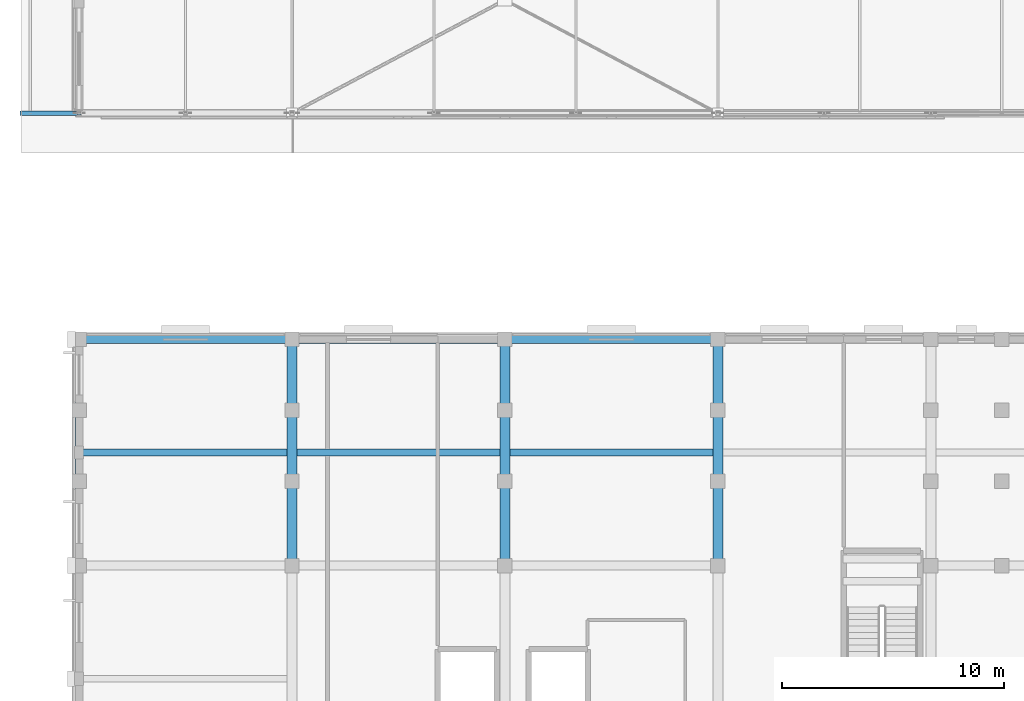
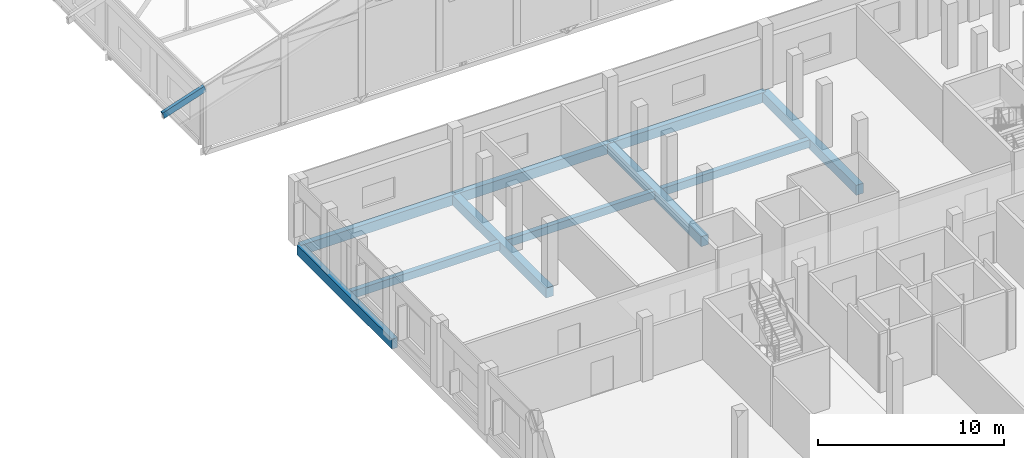
# One storey, part 19 of 200: 10 beams, 1 member.
"""IFC4 building model written with IfcOpenShell, lengths in metres."""

from ifc_helpers import new_model, si_unit, direction, frame, origin, origin_2d, place, context, subcontext, project, spatial, rectangle, hollow_rectangle, extrude, material, material_profile, profile_set, type_object, element, save


model = new_model("IFC4")

# Units and contexts
model_context = context("Model", 3, precision=1e-05, world=origin(), true_north=direction((0.0, 1.0)))
body_context = subcontext(model_context, "Body", "Model", "MODEL_VIEW")
ifc_project = project(units=[si_unit("LENGTHUNIT", "METRE"), si_unit("AREAUNIT", "SQUARE_METRE"), si_unit("VOLUMEUNIT", "CUBIC_METRE"), si_unit("PLANEANGLEUNIT", "RADIAN"), si_unit("MASSUNIT", "GRAM", prefix="KILO")], contexts=[model_context])

# Site, building, storey
site_placement = place(None, origin())
site = spatial("IfcSite", under=ifc_project, at=site_placement, CompositionType="ELEMENT")
building_placement = place(site_placement, origin())
building = spatial("IfcBuilding", under=site, at=building_placement, Name="Vondelvale Polytechnic", CompositionType="ELEMENT")
storey_placement = place(building_placement, frame((0.0, 0.0, 13.800048828125)))
storey = spatial("IfcBuildingStorey", under=building, at=storey_placement, Name="L03", CompositionType="ELEMENT", Elevation=13.800048828125)

# Beams
ifc_material_1 = material(Name="Concrete N40 (f'c = 40 MPa)", Category="concrete")
ifc_material_profile_1 = material_profile(ifc_material_1, rectangle(XDim=0.449951171875, YDim=0.64990234375, at=origin_2d()), Name="RC-BM-450x650")
ifc_profile_set_1 = profile_set([ifc_material_profile_1], Name="Concrete N40 (f'c = 40 MPa)")
beam_type_1 = type_object("IfcBeamType", Name="BM-RC450x650", PredefinedType="BEAM", material=ifc_profile_set_1)
for number, where, z_axis, x_axis, name in (
    (1, (9.60009765625, 30.60009765625, -0.574951171875), (0.0, 1.0, 0.0), (-1.0, 0.0, 0.0), "L03 B B-04"),
    (2, (19.199951171875, 30.60009765625, -0.574951171875), (0.0, 1.0, 0.0), (-1.0, 0.0, 0.0), "L03 B B-04"),
    (3, (28.800048828125, 30.60009765625, -0.574951171875), (0.0, 1.0, 0.0), (-1.0, 0.0, 0.0), "L03 B B-04"),
):
    element("IfcBeam", number, at=place(storey_placement, frame(where, z_axis=z_axis, x_axis=x_axis)), inside=storey, type_object=beam_type_1, Name=name, PredefinedType="BEAM", context=body_context, shape_type="SweptSolid", body=[
        extrude(rectangle(XDim=0.449951171875, YDim=0.64990234375, at=origin_2d()), origin(), (0.0, 0.0, 1.0), 10.199951171875),
    ])
ifc_material_profile_2 = material_profile(ifc_material_1, rectangle(XDim=0.300048828125, YDim=0.5, at=origin_2d()), Name="RC-JST-300x500")
ifc_profile_set_2 = profile_set([ifc_material_profile_2], Name="Concrete N40 (f'c = 40 MPa)")
beam_type_2 = type_object("IfcBeamType", Name="JST-RC300x500", PredefinedType="JOIST", material=ifc_profile_set_2)
beam_1_placement = place(storey_placement, frame((0.175048828125, 35.699951171875, -0.5), z_axis=(1.0, 0.0, 0.0), x_axis=(0.0, 1.0, 0.0)))
element("IfcBeam", 4, at=beam_1_placement, inside=storey, type_object=beam_type_2, Name="L03 J J-02", PredefinedType="JOIST", context=body_context, shape_type="SweptSolid", body=[
    extrude(rectangle(XDim=0.300048828125, YDim=0.5, at=origin_2d()), origin(), (0.0, 0.0, 1.0), 9.199951171875),
])
beam_2_placement = place(storey_placement, frame((9.824951171875, 35.699951171875, -0.5), z_axis=(1.0, 0.0, 0.0), x_axis=(0.0, 1.0, 0.0)))
element("IfcBeam", 5, at=beam_2_placement, inside=storey, type_object=beam_type_2, Name="L03 J J-02", PredefinedType="JOIST", context=body_context, shape_type="SweptSolid", body=[
    extrude(rectangle(XDim=0.300048828125, YDim=0.5, at=origin_2d()), origin(), (0.0, 0.0, 1.0), 9.150146484375),
])
beam_3_placement = place(storey_placement, frame((19.425048828125, 35.699951171875, -0.5), z_axis=(1.0, 0.0, 0.0), x_axis=(0.0, 1.0, 0.0)))
element("IfcBeam", 6, at=beam_3_placement, inside=storey, type_object=beam_type_2, Name="L03 J J-02", PredefinedType="JOIST", context=body_context, shape_type="SweptSolid", body=[
    extrude(rectangle(XDim=0.300048828125, YDim=0.5, at=origin_2d()), origin(), (0.0, 0.0, 1.0), 9.14990234375),
])

# Member
ifc_material_2 = material(Name="Steel C350L0 (fy = 350 MPa)", Category="steel")
ifc_material_profile_3 = material_profile(ifc_material_2, hollow_rectangle(XDim=0.199951171875, YDim=0.39990234375, WallThickness=0.010009765625, at=origin_2d()), Name="400x200x10.0RHS")
ifc_profile_set_3 = profile_set([ifc_material_profile_3], Name="Steel C350L0 (fy = 350 MPa)")
member_type = type_object("IfcMemberType", Name="ROOF TRUSS TOP CHORD 400RHS", PredefinedType="CHORD", material=ifc_profile_set_3)
member_placement = place(storey_placement, frame((-2.60009765625, 51.0, 2.913330078125), z_axis=(0.948683298051, 0.0, 0.316227766017), x_axis=(0.0, 1.0, 0.0)))
element("IfcMember", 7, at=member_placement, inside=storey, type_object=member_type, Name="ROOF TRUSS TR-01 top chord 1", PredefinedType="CHORD", context=body_context, shape_type="SweptSolid", body=[
    extrude(hollow_rectangle(XDim=0.199951171875, YDim=0.39990234375, WallThickness=0.010009765625, at=origin_2d()), origin(), (0.0, 0.0, 1.0), 2.74072265625),
])

# Beams
ifc_material_3 = material(Name="Precast concrete N40 (f'c = 40 MPa)", Category="concrete")
ifc_material_profile_4 = material_profile(ifc_material_3, rectangle(XDim=0.35009765625, YDim=0.64990234375, at=origin_2d()), Name="RC-SPN-350x650")
ifc_profile_set_4 = profile_set([ifc_material_profile_4], Name="Precast concrete N40 (f'c = 40 MPa)")
beam_type_3 = type_object("IfcBeamType", Name="SPN-PRE350x650", PredefinedType="SPANDREL", material=ifc_profile_set_4)
beam_4_placement = place(storey_placement, frame((0.0, 40.800048828125, -0.574951171875), z_axis=(1.0, 0.0, 0.0), x_axis=(0.0, 1.0, 0.0)))
element("IfcBeam", 8, at=beam_4_placement, inside=storey, type_object=beam_type_3, Name="L03 B SP-02", PredefinedType="SPANDREL", context=body_context, shape_type="SweptSolid", body=[
    extrude(rectangle(XDim=0.35009765625, YDim=0.64990234375, at=origin_2d()), origin(), (0.0, 0.0, 1.0), 9.60009765625),
])
beam_5_placement = place(storey_placement, frame((9.60009765625, 40.800048828125, -0.574951171875), z_axis=(1.0, 0.0, 0.0), x_axis=(0.0, 1.0, 0.0)))
element("IfcBeam", 9, at=beam_5_placement, inside=storey, type_object=beam_type_3, Name="L03 B SP-02", PredefinedType="SPANDREL", context=body_context, shape_type="SweptSolid", body=[
    extrude(rectangle(XDim=0.35009765625, YDim=0.64990234375, at=origin_2d()), origin(), (0.0, 0.0, 1.0), 9.599853515625),
])
beam_6_placement = place(storey_placement, frame((19.199951171875, 40.800048828125, -0.574951171875), z_axis=(1.0, 0.0, 0.0), x_axis=(0.0, 1.0, 0.0)))
element("IfcBeam", 10, at=beam_6_placement, inside=storey, type_object=beam_type_3, Name="L03 B SP-02", PredefinedType="SPANDREL", context=body_context, shape_type="SweptSolid", body=[
    extrude(rectangle(XDim=0.35009765625, YDim=0.64990234375, at=origin_2d()), origin(), (0.0, 0.0, 1.0), 9.60009765625),
])
beam_7_placement = place(storey_placement, frame((0.0, 30.60009765625, -0.574951171875), z_axis=(0.0, 1.0, 0.0), x_axis=(-1.0, 0.0, 0.0)))
element("IfcBeam", 11, at=beam_7_placement, inside=storey, type_object=beam_type_3, Name="L03 B SP-02", PredefinedType="SPANDREL", context=body_context, shape_type="SweptSolid", body=[
    extrude(rectangle(XDim=0.35009765625, YDim=0.64990234375, at=origin_2d()), origin(), (0.0, 0.0, 1.0), 10.199951171875),
])

save(model, "model.ifc")
